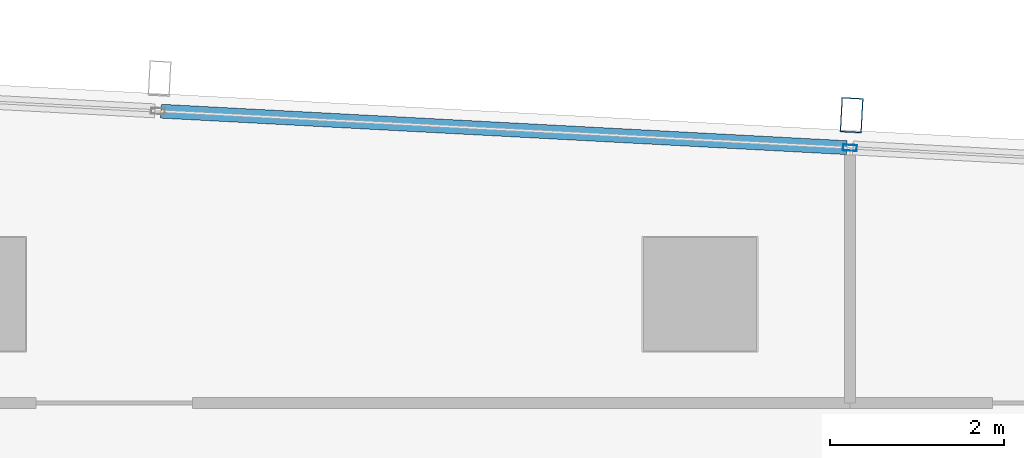
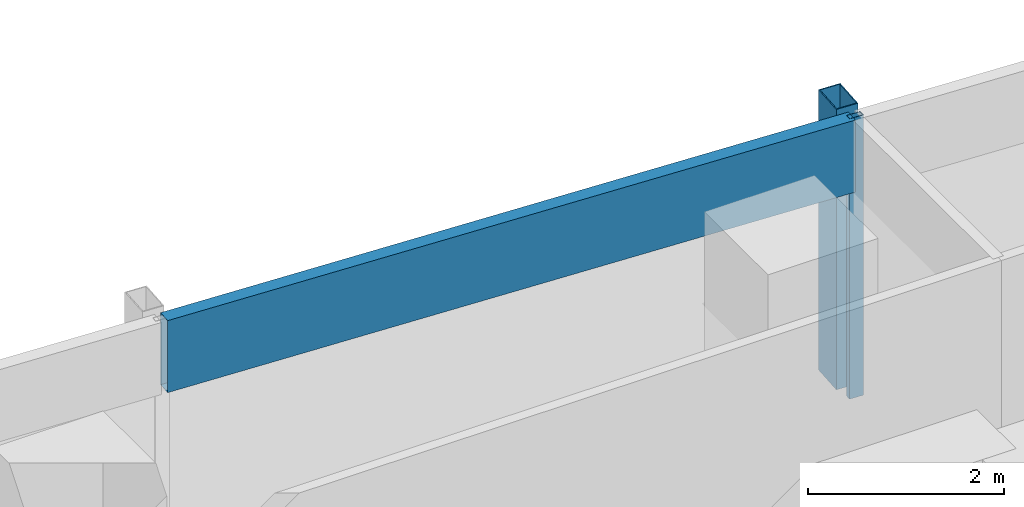
# One storey, part 19 of 30: 3 members, 1 element without a shape of its own.
"""IFC4 building model written with IfcOpenShell, lengths in metres."""

from ifc_helpers import new_model, si_unit, direction, frame, origin, origin_2d, place, context, subcontext, project, spatial, hollow_rectangle, extrude, material, material_profile, profile_set, type_object, element, aggregate, save


model = new_model("IFC4")

# Units and contexts
model_context = context("Model", 3, precision=1e-05, world=origin(), true_north=direction((0.0, 1.0)))
body_context = subcontext(model_context, "Body", "Model", "MODEL_VIEW")
ifc_project = project(units=[si_unit("LENGTHUNIT", "METRE"), si_unit("AREAUNIT", "SQUARE_METRE"), si_unit("VOLUMEUNIT", "CUBIC_METRE"), si_unit("PLANEANGLEUNIT", "RADIAN"), si_unit("MASSUNIT", "GRAM", prefix="KILO")], contexts=[model_context])

# Site, building, storey
site_placement = place(None, origin())
site = spatial("IfcSite", under=ifc_project, at=site_placement, CompositionType="ELEMENT")
building_placement = place(site_placement, origin())
building = spatial("IfcBuilding", under=site, at=building_placement, Name="Rekha Terrace Tower", CompositionType="ELEMENT")
storey_placement = place(building_placement, frame((0.0, 0.0, 272.60009765625)))
storey = spatial("IfcBuildingStorey", under=building, at=storey_placement, Name="L69", CompositionType="ELEMENT", Elevation=272.60009765625)

# Curtain wall, members
ifc_material_1 = material(Name="Aluminium framing", Category="aluminium")
curtain_wall_type = type_object("IfcCurtainWallType", Name="CW3 north unitised glazing", PredefinedType="USERDEFINED", material=ifc_material_1)
curtain_wall_placement = place(storey_placement, origin())
curtain_wall = element("IfcCurtainWall", 1, at=curtain_wall_placement, inside=storey, type_object=curtain_wall_type, Name="CW3 unitised curtain wall", ObjectType="UNITISED CURTAIN WALL", PredefinedType="USERDEFINED")
ifc_material_2 = material(Name="Steel S355 with fluorocarbon finish", Category="steel")
ifc_material_profile_1 = material_profile(ifc_material_2, hollow_rectangle(XDim=0.25, YDim=0.39990234375, WallThickness=0.012451171875, at=origin_2d()), Name="RHS400x250x12.5")
ifc_profile_set_1 = profile_set([ifc_material_profile_1], Name="Steel S355 with fluorocarbon finish")
member_type_1 = type_object("IfcMemberType", Name="BL1 facade blade RHS 400 x 250", PredefinedType="USERDEFINED", material=ifc_profile_set_1)
member_1_placement = place(storey_placement, frame((52.142822265625, 52.456298828125, 0.0), z_axis=(0.0, 0.0, 1.0), x_axis=(-0.998590068481, 0.053083661621, 0.0)))
member_1 = element("IfcMember", 2, at=member_1_placement, type_object=member_type_1, Name="Facade blade", ObjectType="FACADE BLADE", PredefinedType="USERDEFINED", context=body_context, shape_type="SweptSolid", body=[
    extrude(hollow_rectangle(XDim=0.25, YDim=0.39990234375, WallThickness=0.012451171875, at=origin_2d()), origin(), (0.0, 0.0, 1.0), 3.5),
])
ifc_material_3 = material(Name="Aluminium mullion section", Category="aluminium")
ifc_material_profile_2 = material_profile(ifc_material_3, hollow_rectangle(XDim=0.070068359375, YDim=0.159912109375, WallThickness=0.00390625, at=origin_2d()), Name="AL RHS 70x160")
ifc_profile_set_2 = profile_set([ifc_material_profile_2], Name="Aluminium mullion section")
member_type_2 = type_object("IfcMemberType", Name="CW3 mullion RHS 70 x 160", PredefinedType="MULLION", material=ifc_profile_set_2)
member_2_placement = place(storey_placement, frame((52.122802734375, 52.081787109375, 0.0), z_axis=(0.0, 0.0, 1.0), x_axis=(-0.053083275524, -0.998590089005, 0.0)))
member_2 = element("IfcMember", 3, at=member_2_placement, type_object=member_type_2, Name="CW3 mullion 2", PredefinedType="MULLION", context=body_context, shape_type="SweptSolid", body=[
    extrude(hollow_rectangle(XDim=0.070068359375, YDim=0.159912109375, WallThickness=0.00390625, at=origin_2d()), origin(), (0.0, 0.0, 1.0), 3.5),
])
ifc_material_4 = material(Name="Insulated aluminium spandrel box", Category="aluminium")
ifc_material_profile_3 = material_profile(ifc_material_4, hollow_rectangle(XDim=0.159912109375, YDim=0.89990234375, WallThickness=0.0029296875, at=origin_2d()), Name="AL SPANDREL BOX 160x900")
ifc_profile_set_3 = profile_set([ifc_material_profile_3], Name="Insulated aluminium spandrel box")
member_type_3 = type_object("IfcMemberType", Name="CW3 spandrel transom 160 x 900", PredefinedType="USERDEFINED", material=ifc_profile_set_3)
member_3_placement = place(storey_placement, frame((52.087890625, 52.08349609375, 3.0498046875), z_axis=(-0.998589741295, 0.053089816156, 0.0), x_axis=(-0.053089816156, -0.998589741295, 0.0)))
member_3 = element("IfcMember", 4, at=member_3_placement, type_object=member_type_3, Name="CW3 spandrel transom 2", ObjectType="TRANSOM", PredefinedType="USERDEFINED", context=body_context, shape_type="SweptSolid", body=[
    extrude(hollow_rectangle(XDim=0.159912109375, YDim=0.89990234375, WallThickness=0.0029296875, at=origin_2d()), origin(), (0.0, 0.0, 1.0), 7.891357421875),
])
aggregate(curtain_wall, [member_2, member_3, member_1])

save(model, "model.ifc")
